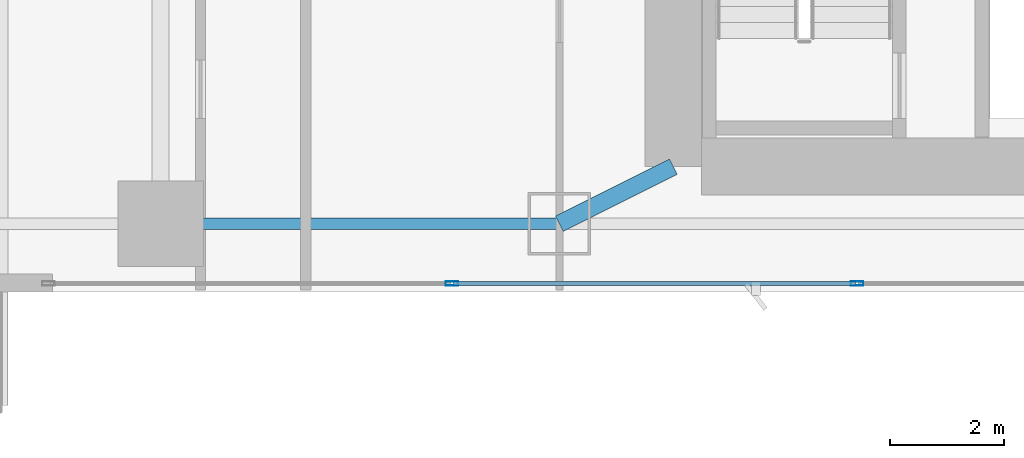
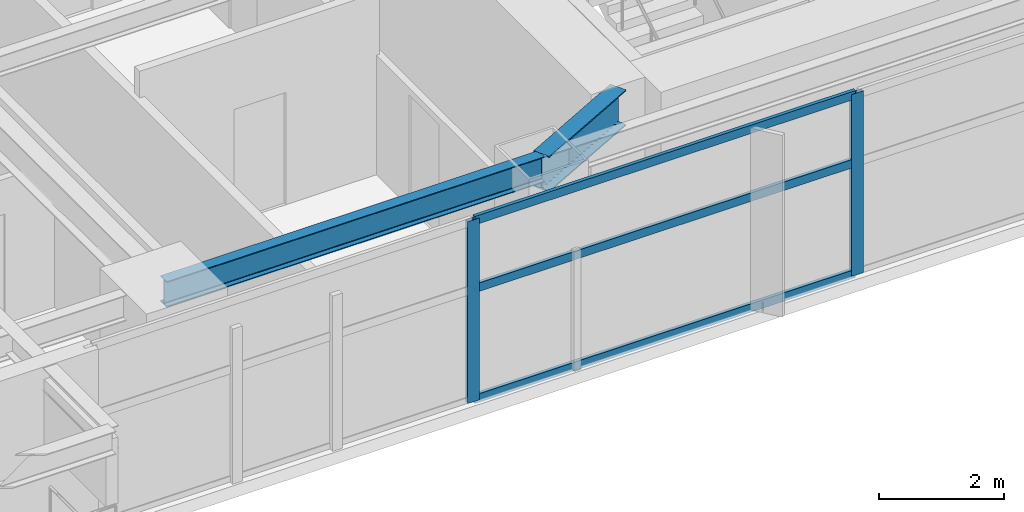
# One storey, part 6 of 30: 5 members, 2 beams, 1 element without a shape of its own.
"""IFC4 building model written with IfcOpenShell, lengths in metres."""

from ifc_helpers import new_model, si_unit, direction, frame, origin, origin_2d, place, context, subcontext, project, spatial, hollow_rectangle, i_section, extrude, material, layer, layer_set, material_profile, profile_set, type_object, element, aggregate, save


model = new_model("IFC4")

# Units and contexts
model_context = context("Model", 3, precision=1e-05, world=origin(), true_north=direction((0.0, 1.0)))
body_context = subcontext(model_context, "Body", "Model", "MODEL_VIEW")
ifc_project = project(units=[si_unit("LENGTHUNIT", "METRE"), si_unit("AREAUNIT", "SQUARE_METRE"), si_unit("VOLUMEUNIT", "CUBIC_METRE"), si_unit("PLANEANGLEUNIT", "RADIAN"), si_unit("MASSUNIT", "GRAM", prefix="KILO")], contexts=[model_context])

# Site, building, storey
site_placement = place(None, origin())
site = spatial("IfcSite", under=ifc_project, at=site_placement, CompositionType="ELEMENT")
building_placement = place(site_placement, origin())
building = spatial("IfcBuilding", under=site, at=building_placement, Name="Calvorn Quay Hotel", CompositionType="ELEMENT")
storey_placement = place(building_placement, frame((0.0, 0.0, 73.60009765625)))
storey = spatial("IfcBuildingStorey", under=building, at=storey_placement, Name="L17", CompositionType="ELEMENT", Elevation=73.60009765625)

# Beams
ifc_material_1 = material(Name="Steel Q390GJC", Category="steel")
ifc_material_profile_1 = material_profile(ifc_material_1, i_section(OverallWidth=0.300048828125, OverallDepth=0.699951171875, WebThickness=0.012939453125, FlangeThickness=0.02392578125, FilletRadius=0.02392578125, at=origin_2d()), Name="HN700x300x13x24")
ifc_profile_set_1 = profile_set([ifc_material_profile_1], Name="Steel Q390GJC")
beam_type_1 = type_object("IfcBeamType", Name="BM-GIRD-MAIN", PredefinedType="BEAM", material=ifc_profile_set_1)
beam_1_placement = place(storey_placement, frame((19.60009765625, 3.60009765625, 3.18994140625), z_axis=(0.894427191, 0.4472135955, 0.0), x_axis=(-0.4472135955, 0.894427191, 0.0)))
element("IfcBeam", 1, at=beam_1_placement, inside=storey, type_object=beam_type_1, Name="Beam BG-L17-S2", PredefinedType="BEAM", context=body_context, shape_type="SweptSolid", body=[
    extrude(i_section(OverallWidth=0.300048828125, OverallDepth=0.699951171875, WebThickness=0.012939453125, FlangeThickness=0.02392578125, FilletRadius=0.02392578125, at=origin_2d()), origin(), (0.0, 0.0, 1.0), 2.236083984375),
])
ifc_material_2 = material(Name="Steel Q355B", Category="steel")
ifc_material_profile_2 = material_profile(ifc_material_2, i_section(OverallWidth=0.199951171875, OverallDepth=0.5, WebThickness=0.010009765625, FlangeThickness=0.01611328125, FilletRadius=0.01611328125, at=origin_2d()), Name="HN500x200x10x16")
ifc_profile_set_2 = profile_set([ifc_material_profile_2], Name="Steel Q355B")
beam_type_2 = type_object("IfcBeamType", Name="BM-SPANDREL-Z1", PredefinedType="SPANDREL", material=ifc_profile_set_2)
beam_2_placement = place(storey_placement, frame((12.60009765625, 3.60009765625, 3.289794921875), z_axis=(1.0, 0.0, 0.0), x_axis=(0.0, 1.0, 0.0)))
element("IfcBeam", 2, at=beam_2_placement, inside=storey, type_object=beam_type_2, Name="Beam BSP-L17-S2", PredefinedType="SPANDREL", context=body_context, shape_type="SweptSolid", body=[
    extrude(i_section(OverallWidth=0.199951171875, OverallDepth=0.5, WebThickness=0.010009765625, FlangeThickness=0.01611328125, FilletRadius=0.01611328125, at=origin_2d()), origin(), (0.0, 0.0, 1.0), 7.0),
])

# Curtain wall, members
ifc_material_3 = material(Name="Pale Anodised Aluminium and Low-E Glass", Category="aluminium")
ifc_layer = layer(ifc_material_3, 0.219970703125)
ifc_layer_set = layer_set([ifc_layer], Name="CW-SYS-Z1")
curtain_wall_type = type_object("IfcCurtainWallType", Name="CW-SYS-Z1", PredefinedType="NOTDEFINED", material=ifc_layer_set)
curtain_wall_placement = place(storey_placement, origin())
curtain_wall = element("IfcCurtainWall", 3, at=curtain_wall_placement, inside=storey, type_object=curtain_wall_type, Name="Tower South Waterfront Curtain Wall (L17)", PredefinedType="NOTDEFINED")
ifc_material_4 = material(Name="Pale Anodised Aluminium 6063-T6", Category="aluminium")
ifc_material_profile_3 = material_profile(ifc_material_4, hollow_rectangle(XDim=0.074951171875, YDim=0.219970703125, WallThickness=0.00439453125, at=origin_2d()), Name="ALU-M220x75x4.5")
ifc_profile_set_3 = profile_set([ifc_material_profile_3], Name="Pale Anodised Aluminium 6063-T6")
member_type_1 = type_object("IfcMemberType", Name="CW-SYS-Z1-MUL", PredefinedType="MULLION", material=ifc_profile_set_3)
member_1_placement = place(storey_placement, frame((17.71435546875, 2.550048828125, 0.0), z_axis=(0.0, 0.0, 1.0), x_axis=(0.0, 1.0, 0.0)))
member_1 = element("IfcMember", 4, at=member_1_placement, type_object=member_type_1, Name="CW-L17-S mullion 2", PredefinedType="MULLION", context=body_context, shape_type="SweptSolid", body=[
    extrude(hollow_rectangle(XDim=0.074951171875, YDim=0.219970703125, WallThickness=0.00439453125, at=origin_2d()), origin(), (0.0, 0.0, 1.0), 3.559814453125),
])
member_2_placement = place(storey_placement, frame((24.82861328125, 2.550048828125, 0.0), z_axis=(0.0, 0.0, 1.0), x_axis=(0.0, 1.0, 0.0)))
member_2 = element("IfcMember", 5, at=member_2_placement, type_object=member_type_1, Name="CW-L17-S mullion 3", PredefinedType="MULLION", context=body_context, shape_type="SweptSolid", body=[
    extrude(hollow_rectangle(XDim=0.074951171875, YDim=0.219970703125, WallThickness=0.00439453125, at=origin_2d()), origin(), (0.0, 0.0, 1.0), 3.559814453125),
])
ifc_material_5 = material(Name="Pale Anodised Aluminium 6063-T6", Category="aluminium")
ifc_material_profile_4 = material_profile(ifc_material_5, hollow_rectangle(XDim=0.06494140625, YDim=0.1650390625, WallThickness=0.00341796875, at=origin_2d()), Name="ALU-T165x65x3.5")
ifc_profile_set_4 = profile_set([ifc_material_profile_4], Name="Pale Anodised Aluminium 6063-T6")
member_type_2 = type_object("IfcMemberType", Name="CW-SYS-Z1-TRN", PredefinedType="USERDEFINED", material=ifc_profile_set_4)
member_3_placement = place(storey_placement, frame((17.744384765625, 2.550048828125, 0.02978515625), z_axis=(1.0, 0.0, 0.0), x_axis=(0.0, 1.0, 0.0)))
member_3 = element("IfcMember", 6, at=member_3_placement, type_object=member_type_2, Name="CW-L17-S transom 2.1", ObjectType="TRANSOM", PredefinedType="USERDEFINED", context=body_context, shape_type="SweptSolid", body=[
    extrude(hollow_rectangle(XDim=0.06494140625, YDim=0.1650390625, WallThickness=0.00341796875, at=origin_2d()), origin(), (0.0, 0.0, 1.0), 7.05419921875),
])
member_4_placement = place(storey_placement, frame((17.744384765625, 2.550048828125, 2.199951171875), z_axis=(1.0, 0.0, 0.0), x_axis=(0.0, 1.0, 0.0)))
member_4 = element("IfcMember", 7, at=member_4_placement, type_object=member_type_2, Name="CW-L17-S transom 2.2", ObjectType="TRANSOM", PredefinedType="USERDEFINED", context=body_context, shape_type="SweptSolid", body=[
    extrude(hollow_rectangle(XDim=0.06494140625, YDim=0.1650390625, WallThickness=0.00341796875, at=origin_2d()), origin(), (0.0, 0.0, 1.0), 7.05419921875),
])
member_5_placement = place(storey_placement, frame((17.744384765625, 2.550048828125, 3.52978515625), z_axis=(1.0, 0.0, 0.0), x_axis=(0.0, 1.0, 0.0)))
member_5 = element("IfcMember", 8, at=member_5_placement, type_object=member_type_2, Name="CW-L17-S transom 2.3", ObjectType="TRANSOM", PredefinedType="USERDEFINED", context=body_context, shape_type="SweptSolid", body=[
    extrude(hollow_rectangle(XDim=0.06494140625, YDim=0.1650390625, WallThickness=0.00341796875, at=origin_2d()), origin(), (0.0, 0.0, 1.0), 7.05419921875),
])
aggregate(curtain_wall, [member_1, member_2, member_3, member_4, member_5])

save(model, "model.ifc")
